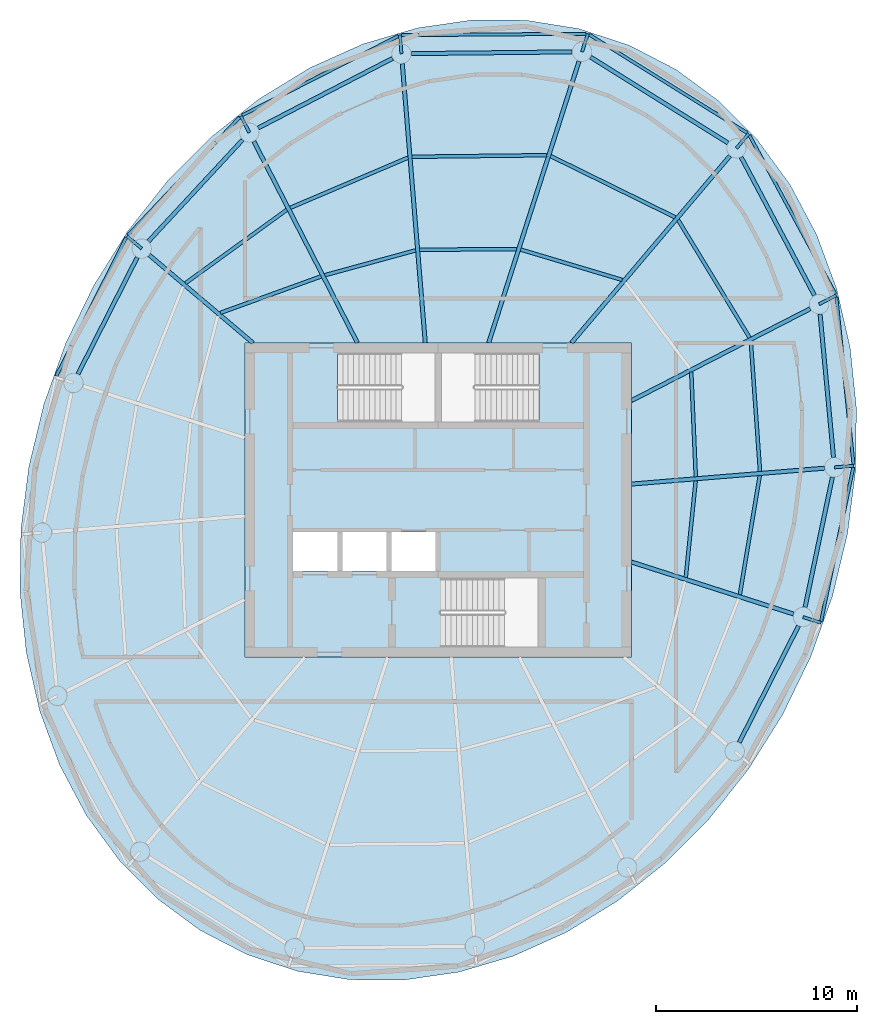
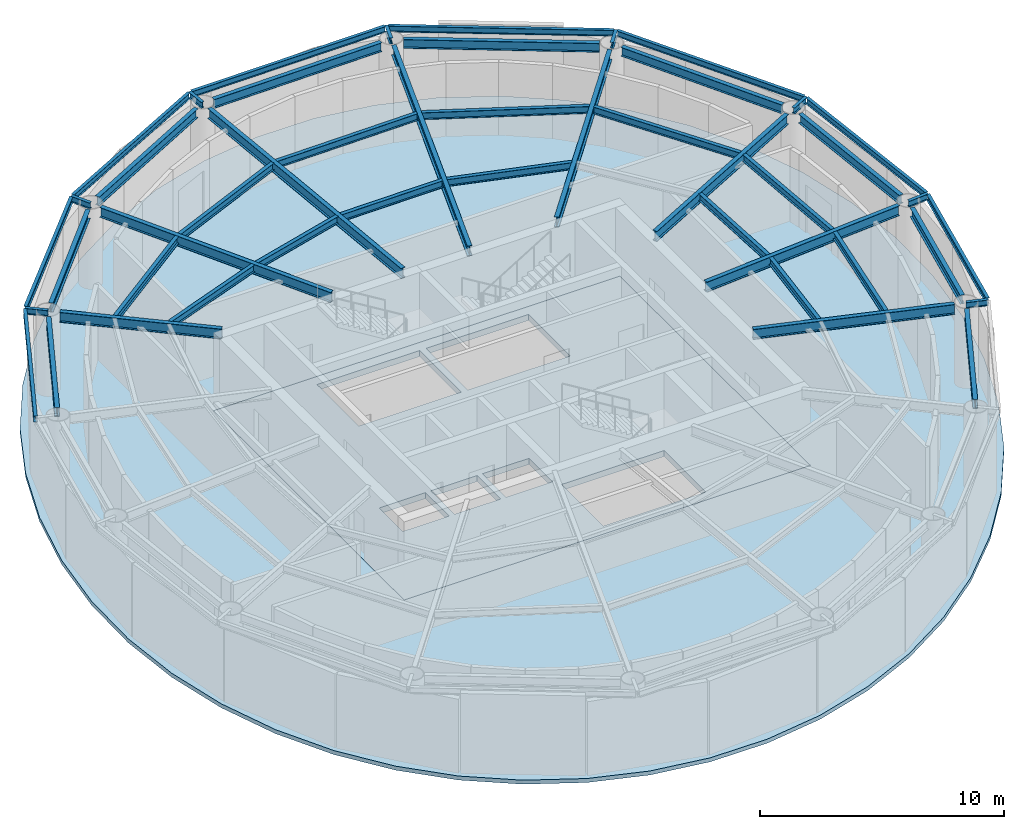
# One storey, part 2 of 6: 46 beams, 2 slabs.
"""IFC4 building model written with IfcOpenShell, lengths in metres."""

from ifc_helpers import new_model, si_unit, direction, frame, origin, origin_2d, place, context, subcontext, project, spatial, polyline, i_section, outline, extrude, material, layer, layer_set, material_profile, profile_set, type_object, element, save


model = new_model("IFC4")

# Units and contexts
model_context = context("Model", 3, precision=1e-05, world=origin(), true_north=direction((0.0, 1.0)))
body_context = subcontext(model_context, "Body", "Model", "MODEL_VIEW")
ifc_project = project(units=[si_unit("LENGTHUNIT", "METRE"), si_unit("AREAUNIT", "SQUARE_METRE"), si_unit("VOLUMEUNIT", "CUBIC_METRE"), si_unit("PLANEANGLEUNIT", "RADIAN"), si_unit("MASSUNIT", "GRAM", prefix="KILO")], contexts=[model_context])

# Site, building, storey
site_placement = place(None, origin())
site = spatial("IfcSite", under=ifc_project, at=site_placement, CompositionType="ELEMENT")
building_placement = place(site_placement, origin())
building = spatial("IfcBuilding", under=site, at=building_placement, Name="Vermilion Reach Broadcast Tower", CompositionType="ELEMENT")
storey_placement = place(building_placement, frame((0.0, 0.0, 312.89990234375)))
storey = spatial("IfcBuildingStorey", under=building, at=storey_placement, Name="L78 CROWN", CompositionType="ELEMENT", Elevation=312.89990234375)

# Beams
ifc_material_1 = material(Name="Steel S355J2", Category="steel")
ifc_material_profile_1 = material_profile(ifc_material_1, i_section(OverallWidth=0.14990234375, OverallDepth=0.300048828125, WebThickness=0.006591796875, FlangeThickness=0.009033203125, at=origin_2d()), Name="S355J2 HN 300x150x6.5x9")
ifc_profile_set_1 = profile_set([ifc_material_profile_1], Name="Steel S355J2")
beam_type_1 = type_object("IfcBeamType", Name="EB5 HN 300x150x6.5x9", PredefinedType="BEAM", material=ifc_profile_set_1)
beam_1_placement = place(storey_placement, frame((1.346435546875, 23.140380859375, 3.85009765625), z_axis=(-0.999971629622, -0.007532592595, 0.0), x_axis=(0.007532592595, -0.999971629622, 0.0)))
element("IfcBeam", 1, at=beam_1_placement, inside=storey, type_object=beam_type_1, Name="Edge beam EB5-01", PredefinedType="BEAM", context=body_context, shape_type="SweptSolid", body=[
    extrude(i_section(OverallWidth=0.14990234375, OverallDepth=0.300048828125, WebThickness=0.006591796875, FlangeThickness=0.009033203125, at=origin_2d()), origin(), (0.0, 0.0, 1.0), 9.17236328125),
])
beam_2_placement = place(storey_placement, frame((-7.97314453125, 23.033935546875, 3.85009765625), z_axis=(-0.891604217889, -0.452815545936, 0.0), x_axis=(0.452815545936, -0.891604217889, 0.0)))
element("IfcBeam", 2, at=beam_2_placement, inside=storey, type_object=beam_type_1, Name="Edge beam EB5-02", PredefinedType="BEAM", context=body_context, shape_type="SweptSolid", body=[
    extrude(i_section(OverallWidth=0.14990234375, OverallDepth=0.300048828125, WebThickness=0.006591796875, FlangeThickness=0.009033203125, at=origin_2d()), origin(), (0.0, 0.0, 1.0), 8.70263671875),
])
beam_3_placement = place(storey_placement, frame((-15.85400390625, 19.001708984375, 3.85009765625), z_axis=(-0.687701793008, -0.725993280888, 0.0), x_axis=(0.725993280888, -0.687701793008, 0.0)))
element("IfcBeam", 3, at=beam_3_placement, inside=storey, type_object=beam_type_1, Name="Edge beam EB5-03", PredefinedType="BEAM", context=body_context, shape_type="SweptSolid", body=[
    extrude(i_section(OverallWidth=0.14990234375, OverallDepth=0.300048828125, WebThickness=0.006591796875, FlangeThickness=0.009033203125, at=origin_2d()), origin(), (0.0, 0.0, 1.0), 8.05908203125),
])
beam_4_placement = place(storey_placement, frame((-21.48291015625, 13.02734375, 3.85009765625), z_axis=(-0.451232435887, -0.892406459414, 0.0), x_axis=(0.892406459414, -0.451232435887, 0.0)))
element("IfcBeam", 4, at=beam_4_placement, inside=storey, type_object=beam_type_1, Name="Edge beam EB5-04", PredefinedType="BEAM", context=body_context, shape_type="SweptSolid", body=[
    extrude(i_section(OverallWidth=0.14990234375, OverallDepth=0.300048828125, WebThickness=0.006591796875, FlangeThickness=0.009033203125, at=origin_2d()), origin(), (0.0, 0.0, 1.0), 7.6943359375),
])
beam_5_placement = place(storey_placement, frame((13.00439453125, -6.019287109375, 3.85009765625), z_axis=(0.204738436734, 0.978816720599, 0.0), x_axis=(-0.978816720599, 0.204738436734, 0.0)))
element("IfcBeam", 5, at=beam_5_placement, inside=storey, type_object=beam_type_1, Name="Edge beam EB5-13", PredefinedType="BEAM", context=body_context, shape_type="SweptSolid", body=[
    extrude(i_section(OverallWidth=0.14990234375, OverallDepth=0.300048828125, WebThickness=0.006591796875, FlangeThickness=0.009033203125, at=origin_2d()), origin(), (0.0, 0.0, 1.0), 7.806884765625),
])
beam_6_placement = place(storey_placement, frame((14.611083984375, 1.7734375, 3.85009765625), z_axis=(-0.102011792202, 0.99478318957, 0.0), x_axis=(-0.99478318957, -0.102011792202, 0.0)))
element("IfcBeam", 6, at=beam_6_placement, inside=storey, type_object=beam_type_1, Name="Edge beam EB5-14", PredefinedType="BEAM", context=body_context, shape_type="SweptSolid", body=[
    extrude(i_section(OverallWidth=0.14990234375, OverallDepth=0.300048828125, WebThickness=0.006591796875, FlangeThickness=0.009033203125, at=origin_2d()), origin(), (0.0, 0.0, 1.0), 8.34521484375),
])
beam_7_placement = place(storey_placement, frame((13.7158203125, 10.22119140625, 3.85009765625), z_axis=(-0.476526173128, 0.879160284774, 0.0), x_axis=(-0.879160284774, -0.476526173128, 0.0)))
element("IfcBeam", 7, at=beam_7_placement, inside=storey, type_object=beam_type_1, Name="Edge beam EB5-15", PredefinedType="BEAM", context=body_context, shape_type="SweptSolid", body=[
    extrude(i_section(OverallWidth=0.14990234375, OverallDepth=0.300048828125, WebThickness=0.006591796875, FlangeThickness=0.009033203125, at=origin_2d()), origin(), (0.0, 0.0, 1.0), 8.9638671875),
])
beam_8_placement = place(storey_placement, frame((9.341552734375, 18.212646484375, 3.85009765625), z_axis=(-0.848928421209, 0.528507838791, 0.0), x_axis=(-0.528507838791, -0.848928421209, 0.0)))
element("IfcBeam", 8, at=beam_8_placement, inside=storey, type_object=beam_type_1, Name="Edge beam EB5-16", PredefinedType="BEAM", context=body_context, shape_type="SweptSolid", body=[
    extrude(i_section(OverallWidth=0.14990234375, OverallDepth=0.300048828125, WebThickness=0.006591796875, FlangeThickness=0.009033203125, at=origin_2d()), origin(), (0.0, 0.0, 1.0), 9.24755859375),
])
ifc_material_2 = material(Name="Steel S355J2", Category="steel")
ifc_material_profile_2 = material_profile(ifc_material_2, i_section(OverallWidth=0.199951171875, OverallDepth=0.5, WebThickness=0.010009765625, FlangeThickness=0.01611328125, at=origin_2d()), Name="S355J2 HN 500x200x10x16")
ifc_profile_set_2 = profile_set([ifc_material_profile_2], Name="Steel S355J2")
beam_type_2 = type_object("IfcBeamType", Name="G5 HN 500x200x10x16", PredefinedType="BEAM", material=ifc_profile_set_2)
beam_9_placement = place(storey_placement, frame((-3.497314453125, 7.800048828125, 3.75), z_axis=(0.305545401295, 0.952177508528, 0.0), x_axis=(-0.952177508528, 0.305545401295, 0.0)))
element("IfcBeam", 9, at=beam_9_placement, inside=storey, type_object=beam_type_2, Name="Girder G5-01", PredefinedType="BEAM", context=body_context, shape_type="SweptSolid", body=[
    extrude(i_section(OverallWidth=0.199951171875, OverallDepth=0.5, WebThickness=0.010009765625, FlangeThickness=0.01611328125, at=origin_2d()), origin(), (0.0, 0.0, 1.0), 14.672607421875),
])
beam_10_placement = place(storey_placement, frame((-6.642578125, 7.800048828125, 3.75), z_axis=(-0.082123744247, 0.996622140347, 0.0), x_axis=(-0.996622140347, -0.082123744247, 0.0)))
element("IfcBeam", 10, at=beam_10_placement, inside=storey, type_object=beam_type_2, Name="Girder G5-02", PredefinedType="BEAM", context=body_context, shape_type="SweptSolid", body=[
    extrude(i_section(OverallWidth=0.199951171875, OverallDepth=0.5, WebThickness=0.010009765625, FlangeThickness=0.01611328125, at=origin_2d()), origin(), (0.0, 0.0, 1.0), 13.89794921875),
])
beam_11_placement = place(storey_placement, frame((-10.010498046875, 7.800048828125, 3.75), z_axis=(-0.457258168112, 0.889334002327, 0.0), x_axis=(-0.889334002327, -0.457258168112, 0.0)))
element("IfcBeam", 11, at=beam_11_placement, inside=storey, type_object=beam_type_2, Name="Girder G5-03", PredefinedType="BEAM", context=body_context, shape_type="SweptSolid", body=[
    extrude(i_section(OverallWidth=0.199951171875, OverallDepth=0.5, WebThickness=0.010009765625, FlangeThickness=0.01611328125, at=origin_2d()), origin(), (0.0, 0.0, 1.0), 11.236328125),
])
beam_12_placement = place(storey_placement, frame((-15.20068359375, 7.800048828125, 3.75), z_axis=(-0.762793125612, 0.646642596431, 0.0), x_axis=(-0.646642596431, -0.762793125612, 0.0)))
element("IfcBeam", 12, at=beam_12_placement, inside=storey, type_object=beam_type_2, Name="Girder G5-04", PredefinedType="BEAM", context=body_context, shape_type="SweptSolid", body=[
    extrude(i_section(OverallWidth=0.199951171875, OverallDepth=0.5, WebThickness=0.010009765625, FlangeThickness=0.01611328125, at=origin_2d()), origin(), (0.0, 0.0, 1.0), 6.732421875),
])
beam_13_placement = place(storey_placement, frame((3.60009765625, -3.080322265625, 3.75), z_axis=(0.952178453449, -0.305542456604, 0.0), x_axis=(0.305542456604, 0.952178453449, 0.0)))
element("IfcBeam", 13, at=beam_13_placement, inside=storey, type_object=beam_type_2, Name="Girder G5-13", PredefinedType="BEAM", context=body_context, shape_type="SweptSolid", body=[
    extrude(i_section(OverallWidth=0.199951171875, OverallDepth=0.5, WebThickness=0.010009765625, FlangeThickness=0.01611328125, at=origin_2d()), origin(), (0.0, 0.0, 1.0), 8.43310546875),
])
beam_14_placement = place(storey_placement, frame((3.60009765625, 0.791015625, 3.75), z_axis=(0.996624410075, 0.082096195058, 0.0), x_axis=(-0.082096195058, 0.996624410075, 0.0)))
element("IfcBeam", 14, at=beam_14_placement, inside=storey, type_object=beam_type_2, Name="Girder G5-14", PredefinedType="BEAM", context=body_context, shape_type="SweptSolid", body=[
    extrude(i_section(OverallWidth=0.199951171875, OverallDepth=0.5, WebThickness=0.010009765625, FlangeThickness=0.01611328125, at=origin_2d()), origin(), (0.0, 0.0, 1.0), 9.599609375),
])
beam_15_placement = place(storey_placement, frame((3.60009765625, 4.935791015625, 3.75), z_axis=(0.889332502449, 0.457261085254, 0.0), x_axis=(-0.457261085254, 0.889332502449, 0.0)))
element("IfcBeam", 15, at=beam_15_placement, inside=storey, type_object=beam_type_2, Name="Girder G5-15", PredefinedType="BEAM", context=body_context, shape_type="SweptSolid", body=[
    extrude(i_section(OverallWidth=0.199951171875, OverallDepth=0.5, WebThickness=0.010009765625, FlangeThickness=0.01611328125, at=origin_2d()), origin(), (0.0, 0.0, 1.0), 9.96337890625),
])
beam_16_placement = place(storey_placement, frame((0.612548828125, 7.800048828125, 3.75), z_axis=(0.646658335602, 0.762779782766, 0.0), x_axis=(-0.762779782766, 0.646658335602, 0.0)))
element("IfcBeam", 16, at=beam_16_placement, inside=storey, type_object=beam_type_2, Name="Girder G5-16", PredefinedType="BEAM", context=body_context, shape_type="SweptSolid", body=[
    extrude(i_section(OverallWidth=0.199951171875, OverallDepth=0.5, WebThickness=0.010009765625, FlangeThickness=0.01611328125, at=origin_2d()), origin(), (0.0, 0.0, 1.0), 12.16064453125),
])
ifc_material_3 = material(Name="Steel S355J2", Category="steel")
ifc_material_profile_3 = material_profile(ifc_material_3, i_section(OverallWidth=0.14990234375, OverallDepth=0.300048828125, WebThickness=0.006591796875, FlangeThickness=0.009033203125, at=origin_2d()), Name="S355J2 HN 300x150x6.5x9")
ifc_profile_set_3 = profile_set([ifc_material_profile_3], Name="Steel S355J2")
beam_type_3 = type_object("IfcBeamType", Name="GS5 HN 300x150x6.5x9", PredefinedType="BEAM", material=ifc_profile_set_3)
beam_17_placement = place(storey_placement, frame((1.138427734375, 22.2470703125, 3.85009765625), z_axis=(0.305596628184, 0.95216106875, 0.0), x_axis=(-0.95216106875, 0.305596628184, 0.0)))
element("IfcBeam", 17, at=beam_17_placement, inside=storey, type_object=beam_type_3, Name="Cantilever stub GS5-01", PredefinedType="BEAM", context=body_context, shape_type="SweptSolid", body=[
    extrude(i_section(OverallWidth=0.14990234375, OverallDepth=0.300048828125, WebThickness=0.006591796875, FlangeThickness=0.009033203125, at=origin_2d()), origin(), (0.0, 0.0, 1.0), 0.938720703125),
])
beam_18_placement = place(storey_placement, frame((-7.824951171875, 22.1494140625, 3.85009765625), z_axis=(-0.082149174093, 0.996620044548, 0.0), x_axis=(-0.996620044548, -0.082149174093, 0.0)))
element("IfcBeam", 18, at=beam_18_placement, inside=storey, type_object=beam_type_3, Name="Cantilever stub GS5-02", PredefinedType="BEAM", context=body_context, shape_type="SweptSolid", body=[
    extrude(i_section(OverallWidth=0.14990234375, OverallDepth=0.300048828125, WebThickness=0.006591796875, FlangeThickness=0.009033203125, at=origin_2d()), origin(), (0.0, 0.0, 1.0), 0.92431640625),
])
beam_19_placement = place(storey_placement, frame((-15.376953125, 18.23779296875, 3.85009765625), z_axis=(-0.457228572872, 0.889349218333, 0.0), x_axis=(-0.889349218333, -0.457228572872, 0.0)))
element("IfcBeam", 19, at=beam_19_placement, inside=storey, type_object=beam_type_3, Name="Cantilever stub GS5-03", PredefinedType="BEAM", context=body_context, shape_type="SweptSolid", body=[
    extrude(i_section(OverallWidth=0.14990234375, OverallDepth=0.300048828125, WebThickness=0.006591796875, FlangeThickness=0.009033203125, at=origin_2d()), origin(), (0.0, 0.0, 1.0), 0.923828125),
])
beam_20_placement = place(storey_placement, frame((-20.717529296875, 12.476806640625, 3.85009765625), z_axis=(-0.762718692688, 0.64673038882, 0.0), x_axis=(-0.64673038882, -0.762718692688, 0.0)))
element("IfcBeam", 20, at=beam_20_placement, inside=storey, type_object=beam_type_3, Name="Cantilever stub GS5-04", PredefinedType="BEAM", context=body_context, shape_type="SweptSolid", body=[
    extrude(i_section(OverallWidth=0.14990234375, OverallDepth=0.300048828125, WebThickness=0.006591796875, FlangeThickness=0.009033203125, at=origin_2d()), origin(), (0.0, 0.0, 1.0), 0.957763671875),
])
beam_21_placement = place(storey_placement, frame((12.10595703125, -5.809814453125, 3.85009765625), z_axis=(0.952228317443, -0.305387019141, 0.0), x_axis=(0.305387019141, 0.952228317443, 0.0)))
element("IfcBeam", 21, at=beam_21_placement, inside=storey, type_object=beam_type_3, Name="Cantilever stub GS5-13", PredefinedType="BEAM", context=body_context, shape_type="SweptSolid", body=[
    extrude(i_section(OverallWidth=0.14990234375, OverallDepth=0.300048828125, WebThickness=0.006591796875, FlangeThickness=0.009033203125, at=origin_2d()), origin(), (0.0, 0.0, 1.0), 0.92724609375),
])
beam_22_placement = place(storey_placement, frame((13.665771484375, 1.620361328125, 3.85009765625), z_axis=(0.996634988565, 0.081967673925, 0.0), x_axis=(-0.081967673925, 0.996634988565, 0.0)))
element("IfcBeam", 22, at=beam_22_placement, inside=storey, type_object=beam_type_3, Name="Cantilever stub GS5-14", PredefinedType="BEAM", context=body_context, shape_type="SweptSolid", body=[
    extrude(i_section(OverallWidth=0.14990234375, OverallDepth=0.300048828125, WebThickness=0.006591796875, FlangeThickness=0.009033203125, at=origin_2d()), origin(), (0.0, 0.0, 1.0), 0.9560546875),
])
beam_23_placement = place(storey_placement, frame((12.905517578125, 9.72021484375, 3.85009765625), z_axis=(0.88934146644, 0.457243650662, 0.0), x_axis=(-0.457243650662, 0.88934146644, 0.0)))
element("IfcBeam", 23, at=beam_23_placement, inside=storey, type_object=beam_type_3, Name="Cantilever stub GS5-15", PredefinedType="BEAM", context=body_context, shape_type="SweptSolid", body=[
    extrude(i_section(OverallWidth=0.14990234375, OverallDepth=0.300048828125, WebThickness=0.006591796875, FlangeThickness=0.009033203125, at=origin_2d()), origin(), (0.0, 0.0, 1.0), 0.951416015625),
])
beam_24_placement = place(storey_placement, frame((8.799560546875, 17.457275390625, 3.85009765625), z_axis=(0.646665495652, 0.762773712665, 0.0), x_axis=(-0.762773712665, 0.646665495652, 0.0)))
element("IfcBeam", 24, at=beam_24_placement, inside=storey, type_object=beam_type_3, Name="Cantilever stub GS5-16", PredefinedType="BEAM", context=body_context, shape_type="SweptSolid", body=[
    extrude(i_section(OverallWidth=0.14990234375, OverallDepth=0.300048828125, WebThickness=0.006591796875, FlangeThickness=0.009033203125, at=origin_2d()), origin(), (0.0, 0.0, 1.0), 0.937744140625),
])
ifc_material_4 = material(Name="Steel S355J2", Category="steel")
ifc_material_profile_4 = material_profile(ifc_material_4, i_section(OverallWidth=0.199951171875, OverallDepth=0.449951171875, WebThickness=0.009033203125, FlangeThickness=0.013916015625, at=origin_2d()), Name="S355J2 HN 450x200x9x14")
ifc_profile_set_4 = profile_set([ifc_material_profile_4], Name="Steel S355J2")
beam_type_4 = type_object("IfcBeamType", Name="RB5 HN 450x200x9x14", PredefinedType="BEAM", material=ifc_profile_set_4)
beam_25_placement = place(storey_placement, frame((0.638427734375, 22.24169921875, 3.775146484375), z_axis=(-0.999940445231, -0.010913569149, 0.0), x_axis=(0.010913569149, -0.999940445231, 0.0)))
element("IfcBeam", 25, at=beam_25_placement, inside=storey, type_object=beam_type_4, Name="Ring beam RB5-01", PredefinedType="BEAM", context=body_context, shape_type="SweptSolid", body=[
    extrude(i_section(OverallWidth=0.199951171875, OverallDepth=0.449951171875, WebThickness=0.009033203125, FlangeThickness=0.013916015625, at=origin_2d()), origin(), (0.0, 0.0, 1.0), 7.9638671875),
])
beam_26_placement = place(storey_placement, frame((-8.268798828125, 21.91943359375, 3.775146484375), z_axis=(-0.887960248279, -0.459920207729, 0.0), x_axis=(0.459920207729, -0.887960248279, 0.0)))
element("IfcBeam", 26, at=beam_26_placement, inside=storey, type_object=beam_type_4, Name="Ring beam RB5-02", PredefinedType="BEAM", context=body_context, shape_type="SweptSolid", body=[
    extrude(i_section(OverallWidth=0.199951171875, OverallDepth=0.449951171875, WebThickness=0.009033203125, FlangeThickness=0.013916015625, at=origin_2d()), origin(), (0.0, 0.0, 1.0), 7.5048828125),
])
beam_27_placement = place(storey_placement, frame((-15.716796875, 17.87109375, 3.775146484375), z_axis=(-0.679837550075, -0.733362738014, 0.0), x_axis=(0.733362738014, -0.679837550075, 0.0)))
element("IfcBeam", 27, at=beam_27_placement, inside=storey, type_object=beam_type_4, Name="Ring beam RB5-03", PredefinedType="BEAM", context=body_context, shape_type="SweptSolid", body=[
    extrude(i_section(OverallWidth=0.199951171875, OverallDepth=0.449951171875, WebThickness=0.009033203125, FlangeThickness=0.013916015625, at=origin_2d()), origin(), (0.0, 0.0, 1.0), 6.85546875),
])
for number, where, z_axis, x_axis, name in (
    (28, (-20.944091796875, 12.03125, 3.775146484375), (-0.453052302855, -0.891483937532, 0.0), (0.891483937532, -0.453052302855, 0.0), "Ring beam RB5-04"),
    (29, (8.944091796875, -12.03125, 3.775146484375), (0.453052302855, 0.891483937532, 0.0), (-0.891483937532, 0.453052302855, 0.0), "Ring beam RB5-12"),
):
    element("IfcBeam", number, at=place(storey_placement, frame(where, z_axis=z_axis, x_axis=x_axis)), inside=storey, type_object=beam_type_4, Name=name, PredefinedType="BEAM", context=body_context, shape_type="SweptSolid", body=[
        extrude(i_section(OverallWidth=0.199951171875, OverallDepth=0.449951171875, WebThickness=0.009033203125, FlangeThickness=0.013916015625, at=origin_2d()), origin(), (0.0, 0.0, 1.0), 6.47900390625),
    ])
beam_28_placement = place(storey_placement, frame((12.208740234375, -5.3203125, 3.775146484375), z_axis=(0.205444869285, 0.978668690459, 0.0), x_axis=(-0.978668690459, 0.205444869285, 0.0)))
element("IfcBeam", 30, at=beam_28_placement, inside=storey, type_object=beam_type_4, Name="Ring beam RB5-13", PredefinedType="BEAM", context=body_context, shape_type="SweptSolid", body=[
    extrude(i_section(OverallWidth=0.199951171875, OverallDepth=0.449951171875, WebThickness=0.009033203125, FlangeThickness=0.013916015625, at=origin_2d()), origin(), (0.0, 0.0, 1.0), 6.591796875),
])
beam_29_placement = place(storey_placement, frame((13.618896484375, 2.1181640625, 3.775146484375), z_axis=(-0.093441399272, 0.995624781181, 0.0), x_axis=(-0.995624781181, -0.093441399272, 0.0)))
element("IfcBeam", 31, at=beam_29_placement, inside=storey, type_object=beam_type_4, Name="Ring beam RB5-14", PredefinedType="BEAM", context=body_context, shape_type="SweptSolid", body=[
    extrude(i_section(OverallWidth=0.199951171875, OverallDepth=0.449951171875, WebThickness=0.009033203125, FlangeThickness=0.013916015625, at=origin_2d()), origin(), (0.0, 0.0, 1.0), 7.135498046875),
])
beam_30_placement = place(storey_placement, frame((12.671142578125, 10.161865234375, 3.775146484375), z_axis=(-0.468767917375, 0.883321368269, 0.0), x_axis=(-0.883321368269, -0.468767917375, 0.0)))
element("IfcBeam", 32, at=beam_30_placement, inside=storey, type_object=beam_type_4, Name="Ring beam RB5-15", PredefinedType="BEAM", context=body_context, shape_type="SweptSolid", body=[
    extrude(i_section(OverallWidth=0.199951171875, OverallDepth=0.449951171875, WebThickness=0.009033203125, FlangeThickness=0.013916015625, at=origin_2d()), origin(), (0.0, 0.0, 1.0), 7.759033203125),
])
beam_31_placement = place(storey_placement, frame((8.375732421875, 17.722412109375, 3.775146484375), z_axis=(-0.847914653245, 0.530132757724, 0.0), x_axis=(-0.530132757724, -0.847914653245, 0.0)))
element("IfcBeam", 33, at=beam_31_placement, inside=storey, type_object=beam_type_4, Name="Ring beam RB5-16", PredefinedType="BEAM", context=body_context, shape_type="SweptSolid", body=[
    extrude(i_section(OverallWidth=0.199951171875, OverallDepth=0.449951171875, WebThickness=0.009033203125, FlangeThickness=0.013916015625, at=origin_2d()), origin(), (0.0, 0.0, 1.0), 8.035400390625),
])
ifc_material_5 = material(Name="Steel S355J2", Category="steel")
ifc_material_profile_5 = material_profile(ifc_material_5, i_section(OverallWidth=0.175048828125, OverallDepth=0.35009765625, WebThickness=0.007080078125, FlangeThickness=0.010986328125, at=origin_2d()), Name="S355J2 HN 350x175x7x11")
ifc_profile_set_5 = profile_set([ifc_material_profile_5], Name="Steel S355J2")
beam_type_5 = type_object("IfcBeamType", Name="SB5 HN 350x175x7x11", PredefinedType="BEAM", material=ifc_profile_set_5)
beam_32_placement = place(storey_placement, frame((-2.108154296875, 12.4560546875, 3.8251953125), z_axis=(-0.999968312294, -0.007960804474, 0.0), x_axis=(0.007960804474, -0.999968312294, 0.0)))
element("IfcBeam", 34, at=beam_32_placement, inside=storey, type_object=beam_type_5, Name="Secondary beam SB5-01-1", PredefinedType="BEAM", context=body_context, shape_type="SweptSolid", body=[
    extrude(i_section(OverallWidth=0.175048828125, OverallDepth=0.35009765625, WebThickness=0.007080078125, FlangeThickness=0.010986328125, at=origin_2d()), origin(), (0.0, 0.0, 1.0), 4.81494140625),
])
beam_33_placement = place(storey_placement, frame((-0.614013671875, 17.11279296875, 3.8251953125), z_axis=(-0.999932654133, -0.011605481368, 0.0), x_axis=(0.011605481368, -0.999932654133, 0.0)))
element("IfcBeam", 35, at=beam_33_placement, inside=storey, type_object=beam_type_5, Name="Secondary beam SB5-01-2", PredefinedType="BEAM", context=body_context, shape_type="SweptSolid", body=[
    extrude(i_section(OverallWidth=0.175048828125, OverallDepth=0.35009765625, WebThickness=0.007080078125, FlangeThickness=0.010986328125, at=origin_2d()), origin(), (0.0, 0.0, 1.0), 6.689697265625),
])
beam_34_placement = place(storey_placement, frame((-7.12109375, 12.39013671875, 3.8251953125), z_axis=(-0.964547496851, -0.263909314573, 0.0), x_axis=(0.263909314573, -0.964547496851, 0.0)))
element("IfcBeam", 36, at=beam_34_placement, inside=storey, type_object=beam_type_5, Name="Secondary beam SB5-02-1", PredefinedType="BEAM", context=body_context, shape_type="SweptSolid", body=[
    extrude(i_section(OverallWidth=0.175048828125, OverallDepth=0.35009765625, WebThickness=0.007080078125, FlangeThickness=0.010986328125, at=origin_2d()), origin(), (0.0, 0.0, 1.0), 4.6689453125),
])
beam_35_placement = place(storey_placement, frame((-7.50048828125, 16.99267578125, 3.8251953125), z_axis=(-0.919880986172, -0.392197617637, 0.0), x_axis=(0.392197617637, -0.919880986172, 0.0)))
element("IfcBeam", 37, at=beam_35_placement, inside=storey, type_object=beam_type_5, Name="Secondary beam SB5-02-2", PredefinedType="BEAM", context=body_context, shape_type="SweptSolid", body=[
    extrude(i_section(OverallWidth=0.175048828125, OverallDepth=0.35009765625, WebThickness=0.007080078125, FlangeThickness=0.010986328125, at=origin_2d()), origin(), (0.0, 0.0, 1.0), 6.351806640625),
])
beam_36_placement = place(storey_placement, frame((-11.81787109375, 11.0966796875, 3.8251953125), z_axis=(-0.940220108875, -0.340567389613, 0.0), x_axis=(0.340567389613, -0.940220108875, 0.0)))
element("IfcBeam", 38, at=beam_36_placement, inside=storey, type_object=beam_type_5, Name="Secondary beam SB5-03-1", PredefinedType="BEAM", context=body_context, shape_type="SweptSolid", body=[
    extrude(i_section(OverallWidth=0.175048828125, OverallDepth=0.35009765625, WebThickness=0.007080078125, FlangeThickness=0.010986328125, at=origin_2d()), origin(), (0.0, 0.0, 1.0), 5.303466796875),
])
beam_37_placement = place(storey_placement, frame((-13.517578125, 14.402587890625, 3.8251953125), z_axis=(-0.809771251518, -0.586745703192, 0.0), x_axis=(0.586745703192, -0.809771251518, 0.0)))
element("IfcBeam", 39, at=beam_37_placement, inside=storey, type_object=beam_type_5, Name="Secondary beam SB5-03-2", PredefinedType="BEAM", context=body_context, shape_type="SweptSolid", body=[
    extrude(i_section(OverallWidth=0.175048828125, OverallDepth=0.35009765625, WebThickness=0.007080078125, FlangeThickness=0.010986328125, at=origin_2d()), origin(), (0.0, 0.0, 1.0), 6.20361328125),
])
beam_38_placement = place(storey_placement, frame((6.287109375, -3.837646484375, 3.8251953125), z_axis=(0.102113775264, 0.994772726255, 0.0), x_axis=(-0.994772726255, 0.102113775264, 0.0)))
element("IfcBeam", 40, at=beam_38_placement, inside=storey, type_object=beam_type_5, Name="Secondary beam SB5-13-1", PredefinedType="BEAM", context=body_context, shape_type="SweptSolid", body=[
    extrude(i_section(OverallWidth=0.175048828125, OverallDepth=0.35009765625, WebThickness=0.007080078125, FlangeThickness=0.010986328125, at=origin_2d()), origin(), (0.0, 0.0, 1.0), 4.815185546875),
])
beam_39_placement = place(storey_placement, frame((8.969970703125, -4.698486328125, 3.8251953125), z_axis=(0.16532337011, 0.986239414795, 0.0), x_axis=(-0.986239414795, 0.16532337011, 0.0)))
element("IfcBeam", 41, at=beam_39_placement, inside=storey, type_object=beam_type_5, Name="Secondary beam SB5-13-2", PredefinedType="BEAM", context=body_context, shape_type="SweptSolid", body=[
    extrude(i_section(OverallWidth=0.175048828125, OverallDepth=0.35009765625, WebThickness=0.007080078125, FlangeThickness=0.010986328125, at=origin_2d()), origin(), (0.0, 0.0, 1.0), 5.99560546875),
])
beam_40_placement = place(storey_placement, frame((6.78466796875, 1.153564453125, 3.8251953125), z_axis=(-0.043557530017, 0.999050920413, 0.0), x_axis=(-0.999050920413, -0.043557530017, 0.0)))
element("IfcBeam", 42, at=beam_40_placement, inside=storey, type_object=beam_type_5, Name="Secondary beam SB5-14-1", PredefinedType="BEAM", context=body_context, shape_type="SweptSolid", body=[
    extrude(i_section(OverallWidth=0.175048828125, OverallDepth=0.35009765625, WebThickness=0.007080078125, FlangeThickness=0.010986328125, at=origin_2d()), origin(), (0.0, 0.0, 1.0), 5.19580078125),
])
beam_41_placement = place(storey_placement, frame((9.97119140625, 1.416259765625, 3.8251953125), z_axis=(-0.070586780458, 0.997505642302, 0.0), x_axis=(-0.997505642302, -0.070586780458, 0.0)))
element("IfcBeam", 43, at=beam_41_placement, inside=storey, type_object=beam_type_5, Name="Secondary beam SB5-14-2", PredefinedType="BEAM", context=body_context, shape_type="SweptSolid", body=[
    extrude(i_section(OverallWidth=0.175048828125, OverallDepth=0.35009765625, WebThickness=0.007080078125, FlangeThickness=0.010986328125, at=origin_2d()), origin(), (0.0, 0.0, 1.0), 6.46435546875),
])
beam_42_placement = place(storey_placement, frame((9.455078125, 8.058837890625, 3.8251953125), z_axis=(-0.519272962556, 0.854608442714, 0.0), x_axis=(-0.854608442714, -0.519272962556, 0.0)))
element("IfcBeam", 44, at=beam_42_placement, inside=storey, type_object=beam_type_5, Name="Secondary beam SB5-15-2", PredefinedType="BEAM", context=body_context, shape_type="SweptSolid", body=[
    extrude(i_section(OverallWidth=0.175048828125, OverallDepth=0.35009765625, WebThickness=0.007080078125, FlangeThickness=0.010986328125, at=origin_2d()), origin(), (0.0, 0.0, 1.0), 6.82763671875),
])
beam_43_placement = place(storey_placement, frame((3.129150390625, 10.92333984375, 3.8251953125), z_axis=(-0.958124906971, 0.286350593925, 0.0), x_axis=(-0.286350593925, -0.958124906971, 0.0)))
element("IfcBeam", 45, at=beam_43_placement, inside=storey, type_object=beam_type_5, Name="Secondary beam SB5-16-1", PredefinedType="BEAM", context=body_context, shape_type="SweptSolid", body=[
    extrude(i_section(OverallWidth=0.175048828125, OverallDepth=0.35009765625, WebThickness=0.007080078125, FlangeThickness=0.010986328125, at=origin_2d()), origin(), (0.0, 0.0, 1.0), 5.25634765625),
])
beam_44_placement = place(storey_placement, frame((5.762451171875, 14.029541015625, 3.8251953125), z_axis=(-0.897335928087, 0.441348198325, 0.0), x_axis=(-0.441348198325, -0.897335928087, 0.0)))
element("IfcBeam", 46, at=beam_44_placement, inside=storey, type_object=beam_type_5, Name="Secondary beam SB5-16-2", PredefinedType="BEAM", context=body_context, shape_type="SweptSolid", body=[
    extrude(i_section(OverallWidth=0.175048828125, OverallDepth=0.35009765625, WebThickness=0.007080078125, FlangeThickness=0.010986328125, at=origin_2d()), origin(), (0.0, 0.0, 1.0), 6.887451171875),
])

# Slabs
ifc_material_6 = material(Name="Concrete C40", Category="concrete")
ifc_layer_1 = layer(ifc_material_6, 0.300048828125)
ifc_layer_set_1 = layer_set([ifc_layer_1], Name="Core floor slab 300 mm Concrete C40")
slab_type_1 = type_object("IfcSlabType", Name="Core floor slab 300 mm Concrete C40", PredefinedType="FLOOR", material=ifc_layer_set_1)
slab_1_placement = place(storey_placement, frame((0.0, 0.0, -0.2998046875)))
element("IfcSlab", 47, at=slab_1_placement, inside=storey, type_object=slab_type_1, Name="L78 CROWN core floor", PredefinedType="FLOOR", context=body_context, shape_type="SweptSolid", body=[
    extrude(outline(polyline([(-15.60009765625, -7.800048828125), (3.60009765625, -7.800048828125), (3.60009765625, 7.800048828125), (-15.60009765625, 7.800048828125), (-15.60009765625, -7.800048828125)]), holes=[polyline([(-13.199951171875, -3.530029296875), (-11.00830078125, -3.530029296875), (-11.00830078125, -1.60009765625), (-13.199951171875, -1.60009765625), (-13.199951171875, -3.530029296875)]), polyline([(-10.75830078125, -3.530029296875), (-8.566650390625, -3.530029296875), (-8.566650390625, -1.60009765625), (-10.75830078125, -1.60009765625), (-10.75830078125, -3.530029296875)]), polyline([(-8.316650390625, -3.530029296875), (-6.125, -3.530029296875), (-6.125, -1.60009765625), (-8.316650390625, -1.60009765625), (-8.316650390625, -3.530029296875)]), polyline([(-10.999267578125, 3.8798828125), (-6.14990234375, 3.8798828125), (-6.14990234375, 7.300048828125), (-10.999267578125, 7.300048828125), (-10.999267578125, 3.8798828125)]), polyline([(-1.000732421875, 7.300048828125), (-5.85009765625, 7.300048828125), (-5.85009765625, 3.8798828125), (-1.000732421875, 3.8798828125), (-1.000732421875, 7.300048828125)]), polyline([(-5.8994140625, -7.300048828125), (-1.050048828125, -7.300048828125), (-1.050048828125, -3.8798828125), (-5.8994140625, -3.8798828125), (-5.8994140625, -7.300048828125)])]), origin(), (0.0, 0.0, 1.0), 0.2998046875),
])
ifc_material_7 = material(Name="Concrete C40", Category="concrete")
ifc_layer_2 = layer(ifc_material_7, 0.199951171875)
ifc_layer_set_2 = layer_set([ifc_layer_2], Name="Floor slab Concrete C40 200")
slab_type_2 = type_object("IfcSlabType", Name="Floor slab Concrete C40 200", PredefinedType="FLOOR", material=ifc_layer_set_2)
slab_2_placement = place(storey_placement, frame((0.0, 0.0, -0.199951171875)))
element("IfcSlab", 48, at=slab_2_placement, inside=storey, type_object=slab_type_2, Name="Floor slab L78 CROWN", PredefinedType="FLOOR", context=body_context, shape_type="SweptSolid", body=[
    extrude(outline(polyline([(3.486328125, 22.567138671875), (0.991455078125, 23.388916015625), (-1.623046875, 23.810302734375), (-4.3125, 23.82421875), (-7.03076171875, 23.4306640625), (-9.7314453125, 22.635986328125), (-12.368408203125, 21.4541015625), (-14.896240234375, 19.9052734375), (-17.271728515625, 18.015625), (-19.45458984375, 15.81787109375), (-21.4072265625, 13.349609375), (-23.09619140625, 10.652587890625), (-24.49267578125, 7.773681640625), (-25.572509765625, 4.761474609375), (-26.317626953125, 1.66796875), (-26.715087890625, -1.454345703125), (-26.75830078125, -4.551513671875), (-26.446044921875, -7.57080078125), (-25.7841796875, -10.460693359375), (-24.78369140625, -13.171630859375), (-23.461669921875, -15.656982421875), (-21.841064453125, -17.87451171875), (-19.949462890625, -19.786376953125), (-17.819091796875, -21.359375), (-15.486328125, -22.567138671875), (-12.991455078125, -23.388916015625), (-10.376953125, -23.810302734375), (-7.6875, -23.82421875), (-4.96923828125, -23.4306640625), (-2.2685546875, -22.635986328125), (0.368408203125, -21.4541015625), (2.896240234375, -19.9052734375), (5.271728515625, -18.015625), (7.45458984375, -15.81787109375), (9.4072265625, -13.349609375), (11.09619140625, -10.652587890625), (12.49267578125, -7.773681640625), (13.572509765625, -4.761474609375), (14.317626953125, -1.66796875), (14.715087890625, 1.454345703125), (14.75830078125, 4.551513671875), (14.446044921875, 7.57080078125), (13.7841796875, 10.460693359375), (12.78369140625, 13.171630859375), (11.461669921875, 15.656982421875), (9.841064453125, 17.87451171875), (7.949462890625, 19.786376953125), (5.819091796875, 21.359375), (3.486328125, 22.567138671875)]), holes=[polyline([(-15.60009765625, -7.800048828125), (3.60009765625, -7.800048828125), (3.60009765625, 7.800048828125), (-15.60009765625, 7.800048828125), (-15.60009765625, -7.800048828125)])]), origin(), (0.0, 0.0, 1.0), 0.199951171875),
])

save(model, "model.ifc")
